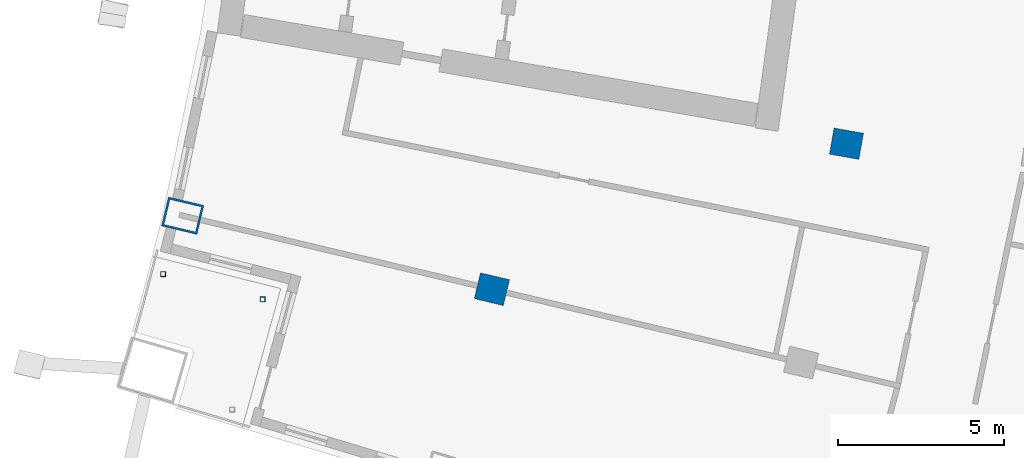
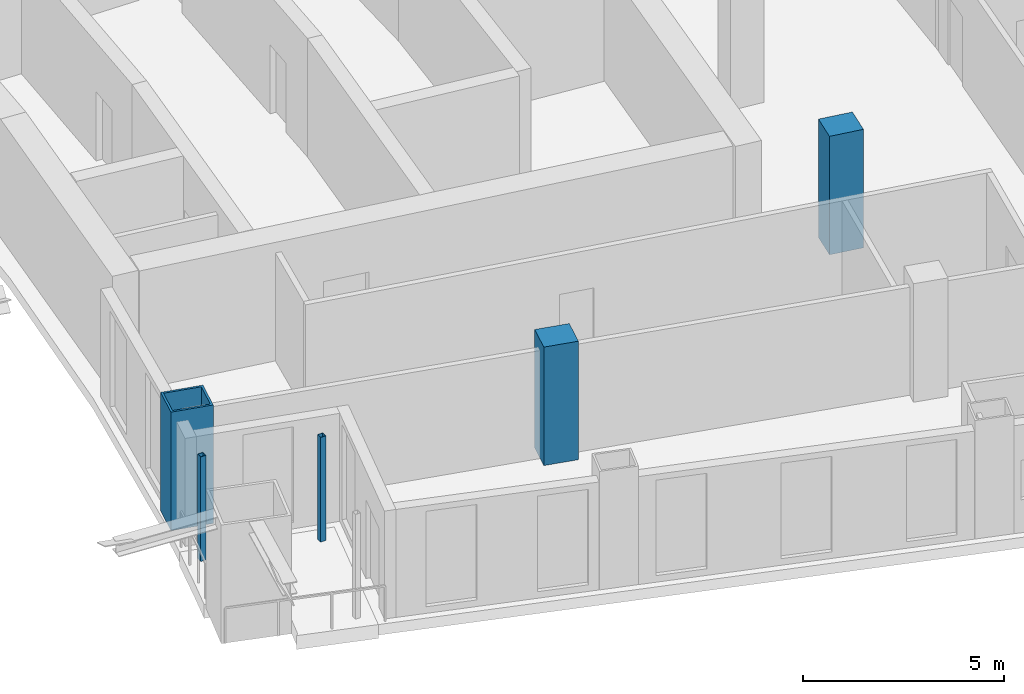
# One storey, part 3 of 22: 5 columns.
"""IFC4 building model written with IfcOpenShell, lengths in metres."""

from ifc_helpers import new_model, si_unit, direction, frame, origin, origin_2d, place, context, subcontext, project, spatial, rectangle, hollow_rectangle, extrude, material, material_profile, profile_set, type_object, element, save


model = new_model("IFC4")

# Units and contexts
model_context = context("Model", 3, precision=1e-05, world=origin(), true_north=direction((0.0, 1.0)))
body_context = subcontext(model_context, "Body", "Model", "MODEL_VIEW")
ifc_project = project(units=[si_unit("LENGTHUNIT", "METRE"), si_unit("AREAUNIT", "SQUARE_METRE"), si_unit("VOLUMEUNIT", "CUBIC_METRE"), si_unit("PLANEANGLEUNIT", "RADIAN"), si_unit("MASSUNIT", "GRAM", prefix="KILO")], contexts=[model_context])

# Site, building, storey
site_placement = place(None, origin())
site = spatial("IfcSite", under=ifc_project, at=site_placement, CompositionType="ELEMENT")
building_placement = place(site_placement, origin())
building = spatial("IfcBuilding", under=site, at=building_placement, Name="Alderwake Tower", CompositionType="ELEMENT")
storey_placement = place(building_placement, frame((0.0, 0.0, 156.800048828125)))
storey = spatial("IfcBuildingStorey", under=building, at=storey_placement, Name="L38", CompositionType="ELEMENT", Elevation=156.800048828125)

# Columns
ifc_material_1 = material(Name="Concrete C70/85", Category="concrete")
ifc_material_profile_1 = material_profile(ifc_material_1, rectangle(XDim=0.800048828125, YDim=0.89990234375, at=origin_2d()), Name="RC 900X800")
ifc_profile_set_1 = profile_set([ifc_material_profile_1], Name="Concrete C70/85")
column_type_1 = type_object("IfcColumnType", Name="Interior column Z3", PredefinedType="COLUMN", material=ifc_profile_set_1)
for number, where, z_axis, x_axis, name in (
    (1, (23.322021484375, 36.444091796875, 0.0), (0.0, 0.0, 1.0), (0.231221547198, 0.972901123502, 0.0), "Column R03-C1"),
    (2, (34.03125, 40.83837890625, 0.0), (0.0, 0.0, 1.0), (0.174108800747, 0.984726421654, 0.0), "Column R04-C2"),
):
    element("IfcColumn", number, at=place(storey_placement, frame(where, z_axis=z_axis, x_axis=x_axis)), inside=storey, type_object=column_type_1, Name=name, PredefinedType="COLUMN", context=body_context, shape_type="SweptSolid", body=[
        extrude(rectangle(XDim=0.800048828125, YDim=0.89990234375, at=origin_2d()), origin(), (0.0, 0.0, 1.0), 3.599853515625),
    ])
ifc_material_2 = material(Name="Steel ASTM A500 Grade C", Category="steel")
ifc_material_profile_2 = material_profile(ifc_material_2, hollow_rectangle(XDim=0.15234375, YDim=0.15234375, WallThickness=0.0087890625, at=origin_2d()), Name="HSS6X6X3/8")
ifc_profile_set_2 = profile_set([ifc_material_profile_2], Name="Steel ASTM A500 Grade C")
column_type_2 = type_object("IfcColumnType", Name="Light post HSS6X6X3/8", PredefinedType="COLUMN", material=ifc_profile_set_2)
for number, where, z_axis, x_axis, name in (
    (3, (13.3896484375, 36.896484375, 0.0), (0.0, 0.0, 1.0), (1.0, 0.0, 0.0), "Terrace post RS1"),
    (4, (16.39501953125, 36.135986328125, 0.0), (0.0, 0.0, 1.0), (1.0, 0.0, 0.0), "Terrace post RS3"),
):
    element("IfcColumn", number, at=place(storey_placement, frame(where, z_axis=z_axis, x_axis=x_axis)), inside=storey, type_object=column_type_2, Name=name, PredefinedType="COLUMN", context=body_context, shape_type="SweptSolid", body=[
        extrude(hollow_rectangle(XDim=0.15234375, YDim=0.15234375, WallThickness=0.0087890625, at=origin_2d()), origin(), (0.0, 0.0, 1.0), 3.179931640625),
    ])
ifc_material_3 = material(Name="Steel ASTM A572 Grade 50 concrete filled C70/85", Category="concrete")
ifc_material_profile_3 = material_profile(ifc_material_3, hollow_rectangle(XDim=0.89990234375, YDim=1.10009765625, WallThickness=0.06005859375, at=origin_2d()), Name="BOX 1100X900X60")
ifc_profile_set_3 = profile_set([ifc_material_profile_3], Name="Steel ASTM A572 Grade 50 concrete filled C70/85")
column_type_3 = type_object("IfcColumnType", Name="Perimeter column Z3", PredefinedType="COLUMN", material=ifc_profile_set_3)
column_placement = place(storey_placement, frame((13.982177734375, 38.6640625, 0.0), z_axis=(0.0, 0.0, 1.0), x_axis=(0.231221547198, 0.972901123502, 0.0)))
element("IfcColumn", 5, at=column_placement, inside=storey, type_object=column_type_3, Name="Column R03-C0", PredefinedType="COLUMN", context=body_context, shape_type="SweptSolid", body=[
    extrude(hollow_rectangle(XDim=0.89990234375, YDim=1.10009765625, WallThickness=0.06005859375, at=origin_2d()), origin(), (0.0, 0.0, 1.0), 3.599853515625),
])

save(model, "model.ifc")
